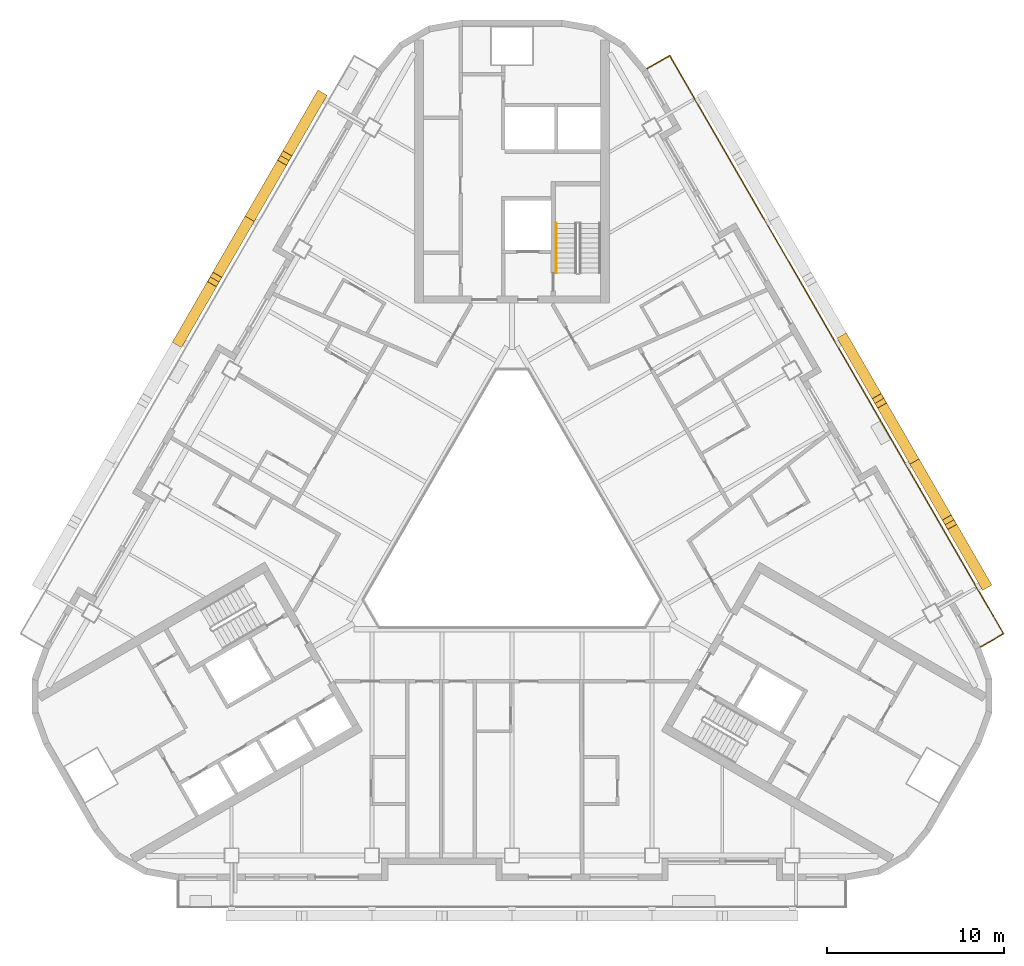
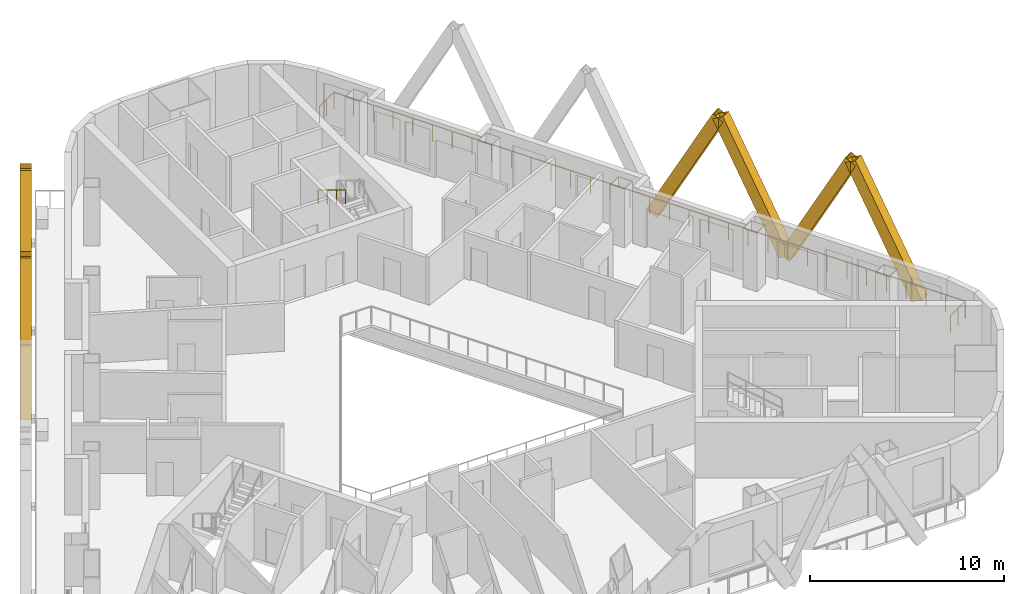
# One storey, part 13 of 14: 8 shading devices, 2 railings.
"""IFC4 building model written with IfcOpenShell, lengths in metres."""

from ifc_helpers import new_model, si_unit, direction, frame, origin, origin_2d, place, context, subcontext, project, spatial, rectangle, hollow_rectangle, circle, extrude, material, material_profile, profile_set, type_object, element, save


model = new_model("IFC4")

# Units and contexts
model_context = context("Model", 3, precision=1e-05, world=origin(), true_north=direction((0.0, 1.0)))
body_context = subcontext(model_context, "Body", "Model", "MODEL_VIEW")
ifc_project = project(units=[si_unit("LENGTHUNIT", "METRE"), si_unit("AREAUNIT", "SQUARE_METRE"), si_unit("VOLUMEUNIT", "CUBIC_METRE"), si_unit("PLANEANGLEUNIT", "RADIAN"), si_unit("MASSUNIT", "GRAM", prefix="KILO")], contexts=[model_context])

# Site, building, storey
site_placement = place(None, origin())
site = spatial("IfcSite", under=ifc_project, at=site_placement, CompositionType="ELEMENT")
building_placement = place(site_placement, origin())
building = spatial("IfcBuilding", under=site, at=building_placement, Name="Apuvela Tower Hotel", CompositionType="ELEMENT")
storey_placement = place(building_placement, frame((0.0, 0.0, 176.199951171875)))
storey = spatial("IfcBuildingStorey", under=building, at=storey_placement, Name="L42", CompositionType="ELEMENT", Elevation=176.199951171875)

# Railing
ifc_material_1 = material(Name="Stainless steel 316 handrail", Category="steel")
railing_type_1 = type_object("IfcRailingType", Name="COR-HANDRAIL-900", PredefinedType="HANDRAIL", material=ifc_material_1)
railing_1_placement = place(storey_placement, frame((2.5, 17.39990234375, 2.018310546875)))
element("IfcRailing", 1, at=railing_1_placement, inside=storey, type_object=railing_type_1, Name="L42 ST1 stair handrail 2", PredefinedType="HANDRAIL", context=body_context, shape_type="SweptSolid", body=[
    extrude(circle(Radius=0.02392578125, at=origin_2d()), frame((0.0, 0.0, 0.8759765625), z_axis=(0.0, -0.857255387014, 0.514891446264), x_axis=(1.0, 0.0, 0.0)), (0.0, 0.0, 1.0), 3.26611328125),
    extrude(rectangle(XDim=0.0419921875, YDim=0.0419921875, at=origin_2d()), origin(), (0.0, 0.0, 1.0), 0.851806640625),
    extrude(rectangle(XDim=0.0419921875, YDim=0.0419921875, at=origin_2d()), frame((0.0, -0.933349609375, 0.560546875)), (0.0, 0.0, 1.0), 0.851806640625),
    extrude(rectangle(XDim=0.0419921875, YDim=0.0419921875, at=origin_2d()), frame((0.0, -1.866455078125, 1.12109375)), (0.0, 0.0, 1.0), 0.851806640625),
    extrude(rectangle(XDim=0.0419921875, YDim=0.0419921875, at=origin_2d()), frame((0.0, -2.7998046875, 1.681640625)), (0.0, 0.0, 1.0), 0.851806640625),
])

# Shading devices
ifc_material_2 = material(Name="Aluminium 6063-T6, black anodised", Category="aluminium")
ifc_material_profile = material_profile(ifc_material_2, hollow_rectangle(XDim=0.60009765625, YDim=0.699951171875, WallThickness=0.011962890625, at=origin_2d()), Name="AL BOX 700x600x12")
ifc_profile_set = profile_set([ifc_material_profile], Name="Aluminium 6063-T6, black anodised")
shading_device_type = type_object("IfcShadingDeviceType", Name="ENV-FIN-700x600", PredefinedType="USERDEFINED", material=ifc_profile_set)
for number, where, z_axis, x_axis, name in (
    (2, (26.632080078125, -2.8681640625, -0.099853515625), (-0.235463880167, 0.407797827568, 0.882189148067), (-0.866005453737, -0.500034552904, 0.0), "Lattice fin NE369"),
    (3, (22.68212890625, 3.973388671875, -0.099853515625), (0.235433593518, -0.407824887177, 0.882184722404), (0.866047669374, 0.499961432884, 0.0), "Lattice fin NE370"),
    (4, (22.68212890625, 3.973388671875, -0.099853515625), (-0.235461085354, 0.407822092458, 0.882178677019), (-0.866020906874, -0.500007788796, 0.0), "Lattice fin NE371"),
):
    element("IfcShadingDevice", number, at=place(storey_placement, frame(where, z_axis=z_axis, x_axis=x_axis)), inside=storey, type_object=shading_device_type, Name=name, ObjectType="FIN", PredefinedType="USERDEFINED", context=body_context, shape_type="SweptSolid", body=[
        extrude(hollow_rectangle(XDim=0.60009765625, YDim=0.699951171875, WallThickness=0.011962890625, at=origin_2d()), origin(), (0.0, 0.0, 1.0), 8.38818359375),
    ])
shading_device_placement = place(storey_placement, frame((18.732177734375, 10.81494140625, -0.099853515625), z_axis=(0.235436388043, -0.407800622186, 0.882195193667), x_axis=(0.866032218625, 0.499988196164, 0.0)))
element("IfcShadingDevice", 5, at=shading_device_placement, inside=storey, type_object=shading_device_type, Name="Lattice fin NE372", ObjectType="FIN", PredefinedType="USERDEFINED", context=body_context, shape_type="SweptSolid", body=[
    extrude(hollow_rectangle(XDim=0.60009765625, YDim=0.699951171875, WallThickness=0.011962890625, at=origin_2d()), origin(), (0.0, 0.0, 1.0), 8.387939453125),
])
for number, where, z_axis, x_axis, name in (
    (6, (-10.83203125, 24.498291015625, -0.099853515625), (-0.235461085354, -0.407822092458, 0.882178677019), (0.866020906874, -0.500007788796, 0.0), "Lattice fin NW417"),
    (7, (-14.781982421875, 17.656494140625, -0.099853515625), (0.235433593518, 0.407824887177, 0.882184722404), (-0.866047669374, 0.499961432884, 0.0), "Lattice fin NW418"),
    (8, (-14.781982421875, 17.656494140625, -0.099853515625), (-0.235463880167, -0.407797827568, 0.882189148067), (0.866005453737, -0.500034552904, 0.0), "Lattice fin NW419"),
    (9, (-18.732177734375, 10.81494140625, -0.099853515625), (0.235461085354, 0.407822092458, 0.882178677019), (-0.866020906874, 0.500007788796, 0.0), "Lattice fin NW420"),
):
    element("IfcShadingDevice", number, at=place(storey_placement, frame(where, z_axis=z_axis, x_axis=x_axis)), inside=storey, type_object=shading_device_type, Name=name, ObjectType="FIN", PredefinedType="USERDEFINED", context=body_context, shape_type="SweptSolid", body=[
        extrude(hollow_rectangle(XDim=0.60009765625, YDim=0.699951171875, WallThickness=0.011962890625, at=origin_2d()), origin(), (0.0, 0.0, 1.0), 8.38818359375),
    ])

# Railing
ifc_material_3 = material(Name="Stainless steel 316 rail with laminated glass infill", Category="steel")
railing_type_2 = type_object("IfcRailingType", Name="ENV-GUARD-1100", PredefinedType="GUARDRAIL", material=ifc_material_3)
railing_2_placement = place(storey_placement, frame((26.407958984375, -6.47998046875, 0.0)))
element("IfcRailing", 10, at=railing_2_placement, inside=storey, type_object=railing_type_2, Name="Balcony guard NE L42", PredefinedType="GUARDRAIL", context=body_context, shape_type="SweptSolid", body=[
    extrude(rectangle(XDim=0.050048828125, YDim=0.050048828125, at=origin_2d()), frame((0.0, 0.0, 1.0751953125), z_axis=(0.866031096941, 0.499990139034, 0.0), x_axis=(-0.499990139034, 0.866031096941, 0.0)), (0.0, 0.0, 1.0), 1.5),
    extrude(rectangle(XDim=0.050048828125, YDim=0.050048828125, at=origin_2d()), frame((1.299072265625, 0.75, 1.0751953125), z_axis=(-0.500000437506, 0.86602515119, 0.0), x_axis=(-0.86602515119, -0.500000437506, 0.0)), (0.0, 0.0, 1.0), 37.6318359375),
    extrude(rectangle(XDim=0.050048828125, YDim=0.050048828125, at=origin_2d()), frame((-17.516845703125, 33.340087890625, 1.0751953125), z_axis=(-0.86599040064, -0.500060622324, 0.0), x_axis=(0.500060622324, -0.86599040064, 0.0)), (0.0, 0.0, 1.0), 1.499755859375),
    extrude(rectangle(XDim=0.0400390625, YDim=0.0400390625, at=origin_2d()), origin(), (0.0, 0.0, 1.0), 1.050048828125),
    extrude(rectangle(XDim=0.0400390625, YDim=0.0400390625, at=origin_2d()), frame((0.6494140625, 0.375, 0.0)), (0.0, 0.0, 1.0), 1.050048828125),
    extrude(rectangle(XDim=0.0400390625, YDim=0.0400390625, at=origin_2d()), frame((1.299072265625, 0.75, 0.0)), (0.0, 0.0, 1.0), 1.050048828125),
    extrude(rectangle(XDim=0.0400390625, YDim=0.0400390625, at=origin_2d()), frame((0.711181640625, 1.7685546875, 0.0)), (0.0, 0.0, 1.0), 1.050048828125),
    extrude(rectangle(XDim=0.0400390625, YDim=0.0400390625, at=origin_2d()), frame((0.123046875, 2.786865234375, 0.0)), (0.0, 0.0, 1.0), 1.050048828125),
    extrude(rectangle(XDim=0.0400390625, YDim=0.0400390625, at=origin_2d()), frame((-0.46484375, 3.805419921875, 0.0)), (0.0, 0.0, 1.0), 1.050048828125),
    extrude(rectangle(XDim=0.0400390625, YDim=0.0400390625, at=origin_2d()), frame((-1.052978515625, 4.82373046875, 0.0)), (0.0, 0.0, 1.0), 1.050048828125),
    extrude(rectangle(XDim=0.0400390625, YDim=0.0400390625, at=origin_2d()), frame((-1.640869140625, 5.84228515625, 0.0)), (0.0, 0.0, 1.0), 1.050048828125),
    extrude(rectangle(XDim=0.0400390625, YDim=0.0400390625, at=origin_2d()), frame((-2.22900390625, 6.860595703125, 0.0)), (0.0, 0.0, 1.0), 1.050048828125),
    extrude(rectangle(XDim=0.0400390625, YDim=0.0400390625, at=origin_2d()), frame((-2.81689453125, 7.879150390625, 0.0)), (0.0, 0.0, 1.0), 1.050048828125),
    extrude(rectangle(XDim=0.0400390625, YDim=0.0400390625, at=origin_2d()), frame((-3.40478515625, 8.8974609375, 0.0)), (0.0, 0.0, 1.0), 1.050048828125),
    extrude(rectangle(XDim=0.0400390625, YDim=0.0400390625, at=origin_2d()), frame((-3.992919921875, 9.916015625, 0.0)), (0.0, 0.0, 1.0), 1.050048828125),
    extrude(rectangle(XDim=0.0400390625, YDim=0.0400390625, at=origin_2d()), frame((-4.580810546875, 10.934326171875, 0.0)), (0.0, 0.0, 1.0), 1.050048828125),
    extrude(rectangle(XDim=0.0400390625, YDim=0.0400390625, at=origin_2d()), frame((-5.1689453125, 11.952880859375, 0.0)), (0.0, 0.0, 1.0), 1.050048828125),
    extrude(rectangle(XDim=0.0400390625, YDim=0.0400390625, at=origin_2d()), frame((-5.7568359375, 12.97119140625, 0.0)), (0.0, 0.0, 1.0), 1.050048828125),
    extrude(rectangle(XDim=0.0400390625, YDim=0.0400390625, at=origin_2d()), frame((-6.344970703125, 13.98974609375, 0.0)), (0.0, 0.0, 1.0), 1.050048828125),
    extrude(rectangle(XDim=0.0400390625, YDim=0.0400390625, at=origin_2d()), frame((-6.932861328125, 15.008056640625, 0.0)), (0.0, 0.0, 1.0), 1.050048828125),
    extrude(rectangle(XDim=0.0400390625, YDim=0.0400390625, at=origin_2d()), frame((-7.52099609375, 16.026611328125, 0.0)), (0.0, 0.0, 1.0), 1.050048828125),
    extrude(rectangle(XDim=0.0400390625, YDim=0.0400390625, at=origin_2d()), frame((-8.10888671875, 17.044921875, 0.0)), (0.0, 0.0, 1.0), 1.050048828125),
    extrude(rectangle(XDim=0.0400390625, YDim=0.0400390625, at=origin_2d()), frame((-8.69677734375, 18.0634765625, 0.0)), (0.0, 0.0, 1.0), 1.050048828125),
    extrude(rectangle(XDim=0.0400390625, YDim=0.0400390625, at=origin_2d()), frame((-9.284912109375, 19.08203125, 0.0)), (0.0, 0.0, 1.0), 1.050048828125),
    extrude(rectangle(XDim=0.0400390625, YDim=0.0400390625, at=origin_2d()), frame((-9.872802734375, 20.100341796875, 0.0)), (0.0, 0.0, 1.0), 1.050048828125),
    extrude(rectangle(XDim=0.0400390625, YDim=0.0400390625, at=origin_2d()), frame((-10.4609375, 21.118896484375, 0.0)), (0.0, 0.0, 1.0), 1.050048828125),
    extrude(rectangle(XDim=0.0400390625, YDim=0.0400390625, at=origin_2d()), frame((-11.048828125, 22.13720703125, 0.0)), (0.0, 0.0, 1.0), 1.050048828125),
    extrude(rectangle(XDim=0.0400390625, YDim=0.0400390625, at=origin_2d()), frame((-11.636962890625, 23.15576171875, 0.0)), (0.0, 0.0, 1.0), 1.050048828125),
    extrude(rectangle(XDim=0.0400390625, YDim=0.0400390625, at=origin_2d()), frame((-12.224853515625, 24.174072265625, 0.0)), (0.0, 0.0, 1.0), 1.050048828125),
    extrude(rectangle(XDim=0.0400390625, YDim=0.0400390625, at=origin_2d()), frame((-12.81298828125, 25.192626953125, 0.0)), (0.0, 0.0, 1.0), 1.050048828125),
    extrude(rectangle(XDim=0.0400390625, YDim=0.0400390625, at=origin_2d()), frame((-13.40087890625, 26.2109375, 0.0)), (0.0, 0.0, 1.0), 1.050048828125),
    extrude(rectangle(XDim=0.0400390625, YDim=0.0400390625, at=origin_2d()), frame((-13.98876953125, 27.2294921875, 0.0)), (0.0, 0.0, 1.0), 1.050048828125),
    extrude(rectangle(XDim=0.0400390625, YDim=0.0400390625, at=origin_2d()), frame((-14.576904296875, 28.247802734375, 0.0)), (0.0, 0.0, 1.0), 1.050048828125),
    extrude(rectangle(XDim=0.0400390625, YDim=0.0400390625, at=origin_2d()), frame((-15.164794921875, 29.266357421875, 0.0)), (0.0, 0.0, 1.0), 1.050048828125),
    extrude(rectangle(XDim=0.0400390625, YDim=0.0400390625, at=origin_2d()), frame((-15.7529296875, 30.28466796875, 0.0)), (0.0, 0.0, 1.0), 1.050048828125),
    extrude(rectangle(XDim=0.0400390625, YDim=0.0400390625, at=origin_2d()), frame((-16.3408203125, 31.30322265625, 0.0)), (0.0, 0.0, 1.0), 1.050048828125),
    extrude(rectangle(XDim=0.0400390625, YDim=0.0400390625, at=origin_2d()), frame((-16.928955078125, 32.321533203125, 0.0)), (0.0, 0.0, 1.0), 1.050048828125),
    extrude(rectangle(XDim=0.0400390625, YDim=0.0400390625, at=origin_2d()), frame((-17.516845703125, 33.340087890625, 0.0)), (0.0, 0.0, 1.0), 1.050048828125),
    extrude(rectangle(XDim=0.0400390625, YDim=0.0400390625, at=origin_2d()), frame((-18.166259765625, 32.965087890625, 0.0)), (0.0, 0.0, 1.0), 1.050048828125),
    extrude(rectangle(XDim=0.0400390625, YDim=0.0400390625, at=origin_2d()), frame((-18.815673828125, 32.590087890625, 0.0)), (0.0, 0.0, 1.0), 1.050048828125),
])

save(model, "model.ifc")
